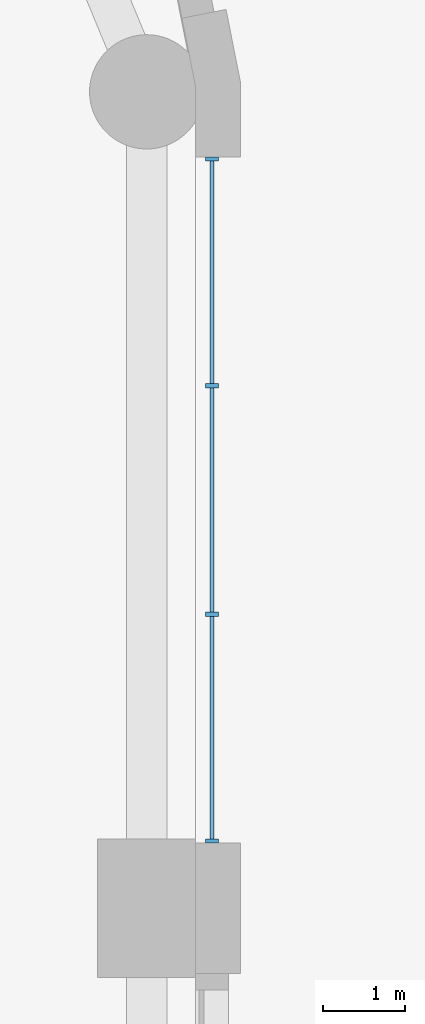
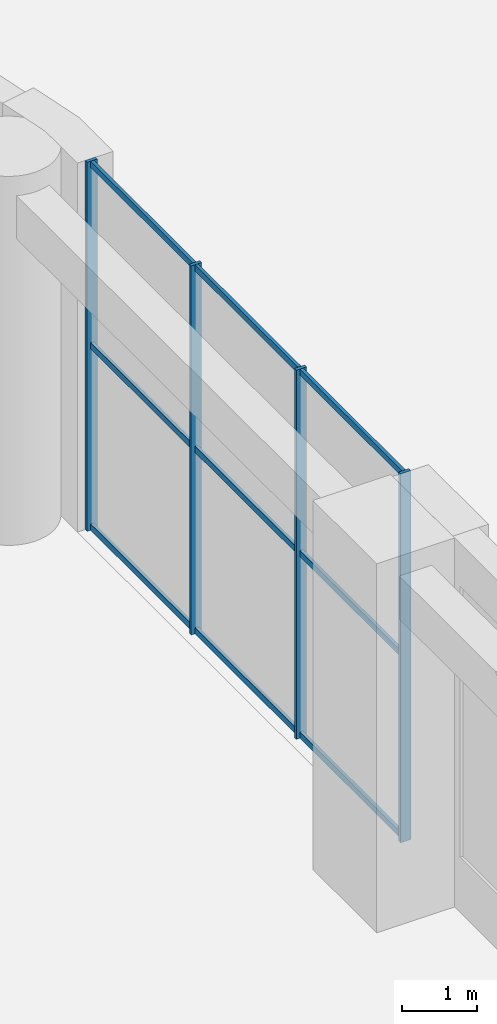
# One storey, part 8 of 28: 13 members, 1 element without a shape of its own.
"""IFC4 building model written with IfcOpenShell, lengths in metres."""

from ifc_helpers import new_model, si_unit, direction, frame, origin, origin_2d, place, context, subcontext, project, spatial, rectangle, extrude, material, layer, layer_set, material_profile, profile_set, type_object, element, aggregate, save


model = new_model("IFC4")

# Units and contexts
model_context = context("Model", 3, precision=1e-05, world=origin(), true_north=direction((0.0, 1.0)))
body_context = subcontext(model_context, "Body", "Model", "MODEL_VIEW")
ifc_project = project(units=[si_unit("LENGTHUNIT", "METRE"), si_unit("AREAUNIT", "SQUARE_METRE"), si_unit("VOLUMEUNIT", "CUBIC_METRE"), si_unit("PLANEANGLEUNIT", "RADIAN"), si_unit("MASSUNIT", "GRAM", prefix="KILO")], contexts=[model_context])

# Site, building, storey
site_placement = place(None, origin())
site = spatial("IfcSite", under=ifc_project, at=site_placement, CompositionType="ELEMENT")
building_placement = place(site_placement, origin())
building = spatial("IfcBuilding", under=site, at=building_placement, Name="Qaws Garden Tower", CompositionType="ELEMENT")
storey_placement = place(building_placement, frame((0.0, 0.0, 6.0)))
storey = spatial("IfcBuildingStorey", under=building, at=storey_placement, Name="L01", CompositionType="ELEMENT", Elevation=6.0)

# Curtain wall, members
ifc_material_1 = material(Name="Anodised aluminium curtain wall frame", Category="aluminium")
ifc_layer = layer(ifc_material_1, 0.159912109375)
ifc_layer_set = layer_set([ifc_layer], Name="Anodised aluminium curtain wall frame")
curtain_wall_type = type_object("IfcCurtainWallType", Name="CW4 garden level glazing curtain wall", PredefinedType="NOTDEFINED", material=ifc_layer_set)
curtain_wall_placement = place(storey_placement, origin())
curtain_wall = element("IfcCurtainWall", 1, at=curtain_wall_placement, inside=storey, type_object=curtain_wall_type, Name="CW4 Garden level glazing 14", PredefinedType="NOTDEFINED")
ifc_material_2 = material(Name="Anodised aluminium curtain wall frame", Category="aluminium")
ifc_material_profile_1 = material_profile(ifc_material_2, rectangle(XDim=0.159912109375, YDim=0.050048828125, at=origin_2d()), Name="AL 50x160")
ifc_profile_set_1 = profile_set([ifc_material_profile_1], Name="Anodised aluminium curtain wall frame")
member_type_1 = type_object("IfcMemberType", Name="CW4 mullion 50 x 160", PredefinedType="MULLION", material=ifc_profile_set_1)
member_1_placement = place(storey_placement, frame((30.800048828125, 50.824951171875, 0.0), z_axis=(0.0, 0.0, 1.0), x_axis=(-1.0, 0.0, 0.0)))
member_1 = element("IfcMember", 2, at=member_1_placement, type_object=member_type_1, Name="CW4 mullion 1", PredefinedType="MULLION", context=body_context, shape_type="SweptSolid", body=[
    extrude(rectangle(XDim=0.159912109375, YDim=0.050048828125, at=origin_2d()), origin(), (0.0, 0.0, 1.0), 6.0),
])
member_2_placement = place(storey_placement, frame((30.800048828125, 53.60009765625, 0.0), z_axis=(0.0, 0.0, 1.0), x_axis=(-1.0, 0.0, 0.0)))
member_2 = element("IfcMember", 3, at=member_2_placement, type_object=member_type_1, Name="CW4 mullion 2", PredefinedType="MULLION", context=body_context, shape_type="SweptSolid", body=[
    extrude(rectangle(XDim=0.159912109375, YDim=0.050048828125, at=origin_2d()), origin(), (0.0, 0.0, 1.0), 6.0),
])
member_3_placement = place(storey_placement, frame((30.800048828125, 56.39990234375, 0.0), z_axis=(0.0, 0.0, 1.0), x_axis=(-1.0, 0.0, 0.0)))
member_3 = element("IfcMember", 4, at=member_3_placement, type_object=member_type_1, Name="CW4 mullion 3", PredefinedType="MULLION", context=body_context, shape_type="SweptSolid", body=[
    extrude(rectangle(XDim=0.159912109375, YDim=0.050048828125, at=origin_2d()), origin(), (0.0, 0.0, 1.0), 6.0),
])
member_4_placement = place(storey_placement, frame((30.800048828125, 59.175048828125, 0.0), z_axis=(0.0, 0.0, 1.0), x_axis=(-1.0, 0.0, 0.0)))
member_4 = element("IfcMember", 5, at=member_4_placement, type_object=member_type_1, Name="CW4 mullion 4", PredefinedType="MULLION", context=body_context, shape_type="SweptSolid", body=[
    extrude(rectangle(XDim=0.159912109375, YDim=0.050048828125, at=origin_2d()), origin(), (0.0, 0.0, 1.0), 6.0),
])
ifc_material_3 = material(Name="Anodised aluminium curtain wall frame", Category="aluminium")
ifc_material_profile_2 = material_profile(ifc_material_3, rectangle(XDim=0.050048828125, YDim=0.10009765625, at=origin_2d()), Name="AL 50x100")
ifc_profile_set_2 = profile_set([ifc_material_profile_2], Name="Anodised aluminium curtain wall frame")
member_type_2 = type_object("IfcMemberType", Name="CW4 transom 100 x 50", PredefinedType="USERDEFINED", material=ifc_profile_set_2)
member_5_placement = place(storey_placement, frame((30.800048828125, 50.85009765625, 0.050048828125), z_axis=(0.0, 1.0, 0.0), x_axis=(-1.0, 0.0, 0.0)))
member_5 = element("IfcMember", 6, at=member_5_placement, type_object=member_type_2, Name="CW4 transom 1.1", ObjectType="TRANSOM", PredefinedType="USERDEFINED", context=body_context, shape_type="SweptSolid", body=[
    extrude(rectangle(XDim=0.050048828125, YDim=0.10009765625, at=origin_2d()), origin(), (0.0, 0.0, 1.0), 2.724853515625),
])
member_6_placement = place(storey_placement, frame((30.800048828125, 50.85009765625, 3.0), z_axis=(0.0, 1.0, 0.0), x_axis=(-1.0, 0.0, 0.0)))
member_6 = element("IfcMember", 7, at=member_6_placement, type_object=member_type_2, Name="CW4 transom 1.2", ObjectType="TRANSOM", PredefinedType="USERDEFINED", context=body_context, shape_type="SweptSolid", body=[
    extrude(rectangle(XDim=0.050048828125, YDim=0.10009765625, at=origin_2d()), origin(), (0.0, 0.0, 1.0), 2.724853515625),
])
member_7_placement = place(storey_placement, frame((30.800048828125, 50.85009765625, 5.949951171875), z_axis=(0.0, 1.0, 0.0), x_axis=(-1.0, 0.0, 0.0)))
member_7 = element("IfcMember", 8, at=member_7_placement, type_object=member_type_2, Name="CW4 transom 1.3", ObjectType="TRANSOM", PredefinedType="USERDEFINED", context=body_context, shape_type="SweptSolid", body=[
    extrude(rectangle(XDim=0.050048828125, YDim=0.10009765625, at=origin_2d()), origin(), (0.0, 0.0, 1.0), 2.724853515625),
])
member_8_placement = place(storey_placement, frame((30.800048828125, 53.625, 0.050048828125), z_axis=(0.0, 1.0, 0.0), x_axis=(-1.0, 0.0, 0.0)))
member_8 = element("IfcMember", 9, at=member_8_placement, type_object=member_type_2, Name="CW4 transom 2.1", ObjectType="TRANSOM", PredefinedType="USERDEFINED", context=body_context, shape_type="SweptSolid", body=[
    extrude(rectangle(XDim=0.050048828125, YDim=0.10009765625, at=origin_2d()), origin(), (0.0, 0.0, 1.0), 2.75),
])
member_9_placement = place(storey_placement, frame((30.800048828125, 53.625, 3.0), z_axis=(0.0, 1.0, 0.0), x_axis=(-1.0, 0.0, 0.0)))
member_9 = element("IfcMember", 10, at=member_9_placement, type_object=member_type_2, Name="CW4 transom 2.2", ObjectType="TRANSOM", PredefinedType="USERDEFINED", context=body_context, shape_type="SweptSolid", body=[
    extrude(rectangle(XDim=0.050048828125, YDim=0.10009765625, at=origin_2d()), origin(), (0.0, 0.0, 1.0), 2.75),
])
member_10_placement = place(storey_placement, frame((30.800048828125, 53.625, 5.949951171875), z_axis=(0.0, 1.0, 0.0), x_axis=(-1.0, 0.0, 0.0)))
member_10 = element("IfcMember", 11, at=member_10_placement, type_object=member_type_2, Name="CW4 transom 2.3", ObjectType="TRANSOM", PredefinedType="USERDEFINED", context=body_context, shape_type="SweptSolid", body=[
    extrude(rectangle(XDim=0.050048828125, YDim=0.10009765625, at=origin_2d()), origin(), (0.0, 0.0, 1.0), 2.75),
])
member_11_placement = place(storey_placement, frame((30.800048828125, 56.425048828125, 0.050048828125), z_axis=(0.0, 1.0, 0.0), x_axis=(-1.0, 0.0, 0.0)))
member_11 = element("IfcMember", 12, at=member_11_placement, type_object=member_type_2, Name="CW4 transom 3.1", ObjectType="TRANSOM", PredefinedType="USERDEFINED", context=body_context, shape_type="SweptSolid", body=[
    extrude(rectangle(XDim=0.050048828125, YDim=0.10009765625, at=origin_2d()), origin(), (0.0, 0.0, 1.0), 2.724853515625),
])
member_12_placement = place(storey_placement, frame((30.800048828125, 56.425048828125, 3.0), z_axis=(0.0, 1.0, 0.0), x_axis=(-1.0, 0.0, 0.0)))
member_12 = element("IfcMember", 13, at=member_12_placement, type_object=member_type_2, Name="CW4 transom 3.2", ObjectType="TRANSOM", PredefinedType="USERDEFINED", context=body_context, shape_type="SweptSolid", body=[
    extrude(rectangle(XDim=0.050048828125, YDim=0.10009765625, at=origin_2d()), origin(), (0.0, 0.0, 1.0), 2.724853515625),
])
member_13_placement = place(storey_placement, frame((30.800048828125, 56.425048828125, 5.949951171875), z_axis=(0.0, 1.0, 0.0), x_axis=(-1.0, 0.0, 0.0)))
member_13 = element("IfcMember", 14, at=member_13_placement, type_object=member_type_2, Name="CW4 transom 3.3", ObjectType="TRANSOM", PredefinedType="USERDEFINED", context=body_context, shape_type="SweptSolid", body=[
    extrude(rectangle(XDim=0.050048828125, YDim=0.10009765625, at=origin_2d()), origin(), (0.0, 0.0, 1.0), 2.724853515625),
])
aggregate(curtain_wall, [member_1, member_2, member_3, member_4, member_5, member_6, member_7, member_8, member_9, member_10, member_11, member_12, member_13])

save(model, "model.ifc")
